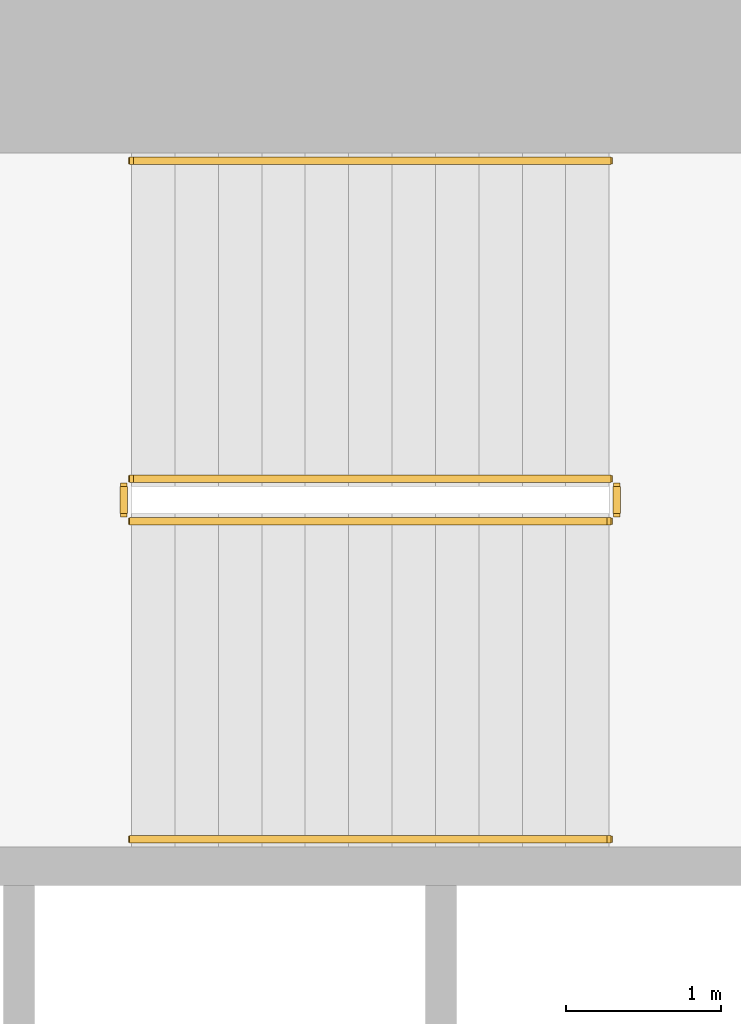
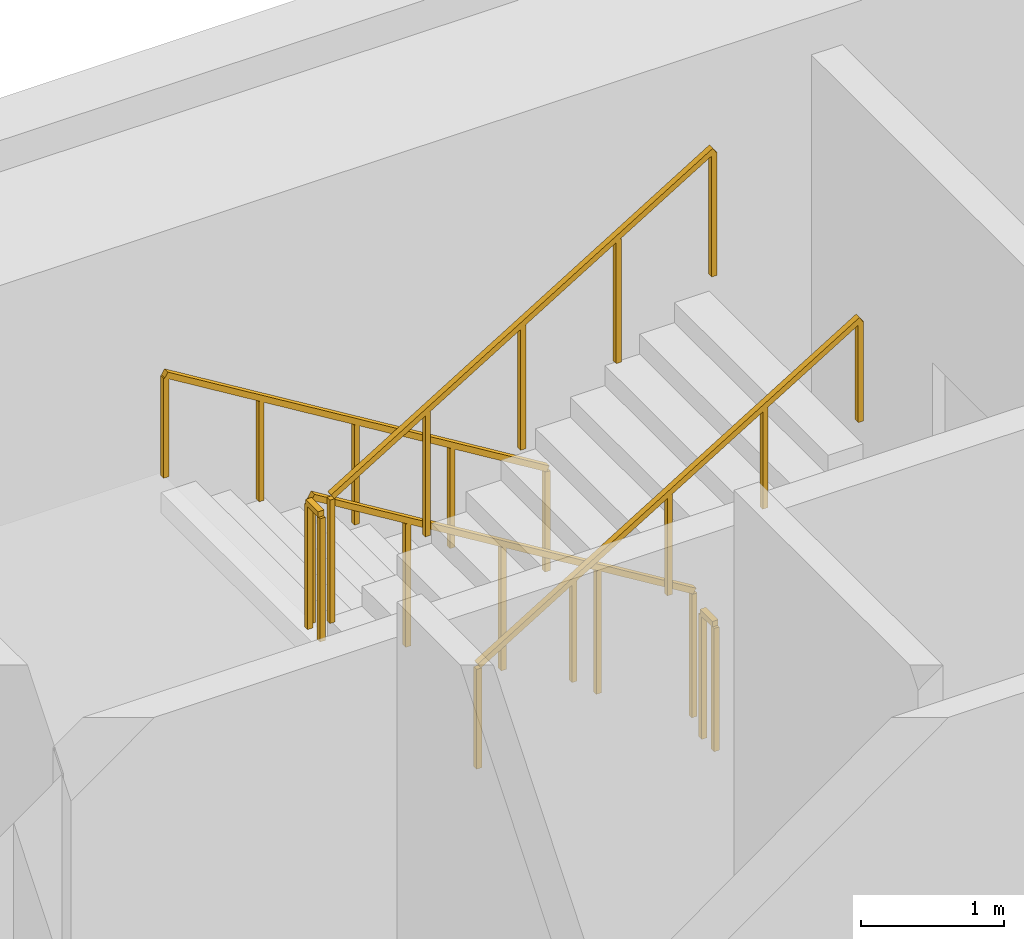
# One storey, part 13 of 15: 6 railings.
"""IFC4 building model written with IfcOpenShell, lengths in metres."""

from ifc_helpers import new_model, si_unit, direction, frame, origin, origin_2d, place, context, subcontext, project, spatial, rectangle, extrude, material, type_object, element, save


model = new_model("IFC4")

# Units and contexts
model_context = context("Model", 3, precision=1e-05, world=origin(), true_north=direction((0.0, 1.0)))
body_context = subcontext(model_context, "Body", "Model", "MODEL_VIEW")
ifc_project = project(units=[si_unit("LENGTHUNIT", "METRE"), si_unit("AREAUNIT", "SQUARE_METRE"), si_unit("VOLUMEUNIT", "CUBIC_METRE"), si_unit("PLANEANGLEUNIT", "RADIAN"), si_unit("MASSUNIT", "GRAM", prefix="KILO")], contexts=[model_context])

# Site, building, storey
site_placement = place(None, origin())
site = spatial("IfcSite", under=ifc_project, at=site_placement, CompositionType="ELEMENT")
building_placement = place(site_placement, origin())
building = spatial("IfcBuilding", under=site, at=building_placement, Name="Cypress Arch Tower", CompositionType="ELEMENT")
storey_placement = place(building_placement, frame((0.0, 0.0, 213.800048828125)))
storey = spatial("IfcBuildingStorey", under=building, at=storey_placement, Name="L47", CompositionType="ELEMENT", Elevation=213.800048828125)

# Railings
ifc_material_1 = material(Name="Black powder-coated steel square bar 48 mm", Category="steel")
railing_type_1 = type_object("IfcRailingType", Name="Stair handrail HR1", PredefinedType="HANDRAIL", material=ifc_material_1)
railing_1_placement = place(storey_placement, frame((-22.27490234375, 14.75, 0.1708984375)))
element("IfcRailing", 1, at=railing_1_placement, inside=storey, type_object=railing_type_1, Name="L47 B stair handrail 1", PredefinedType="HANDRAIL", context=body_context, shape_type="SweptSolid", body=[
    extrude(rectangle(XDim=0.048095703125, YDim=0.048095703125, at=origin_2d()), frame((0.0, 0.0, 0.8759765625), z_axis=(-0.853666305674, 0.0, 0.52082035152), x_axis=(0.0, -1.0, 0.0)), (0.0, 0.0, 1.0), 3.608154296875),
    extrude(rectangle(XDim=0.0419921875, YDim=0.0419921875, at=origin_2d()), origin(), (0.0, 0.0, 1.0), 0.851806640625),
    extrude(rectangle(XDim=0.0419921875, YDim=0.0419921875, at=origin_2d()), frame((-0.77001953125, 0.0, 0.4697265625)), (0.0, 0.0, 1.0), 0.851806640625),
    extrude(rectangle(XDim=0.0419921875, YDim=0.0419921875, at=origin_2d()), frame((-1.5400390625, 0.0, 0.939453125)), (0.0, 0.0, 1.0), 0.851806640625),
    extrude(rectangle(XDim=0.0419921875, YDim=0.0419921875, at=origin_2d()), frame((-2.31005859375, 0.0, 1.409423828125)), (0.0, 0.0, 1.0), 0.851806640625),
    extrude(rectangle(XDim=0.0419921875, YDim=0.0419921875, at=origin_2d()), frame((-3.080078125, 0.0, 1.879150390625)), (0.0, 0.0, 1.0), 0.851806640625),
])
railing_2_placement = place(storey_placement, frame((-25.35498046875, 10.375, 2.220703125)))
element("IfcRailing", 2, at=railing_2_placement, inside=storey, type_object=railing_type_1, Name="L47 B stair handrail 2", PredefinedType="HANDRAIL", context=body_context, shape_type="SweptSolid", body=[
    extrude(rectangle(XDim=0.048095703125, YDim=0.048095703125, at=origin_2d()), frame((0.0, 0.0, 0.8759765625), z_axis=(0.853666305674, 0.0, 0.52082035152), x_axis=(0.0, 1.0, 0.0)), (0.0, 0.0, 1.0), 3.608154296875),
    extrude(rectangle(XDim=0.0419921875, YDim=0.0419921875, at=origin_2d()), origin(), (0.0, 0.0, 1.0), 0.851806640625),
    extrude(rectangle(XDim=0.0419921875, YDim=0.0419921875, at=origin_2d()), frame((0.77001953125, 0.0, 0.4697265625)), (0.0, 0.0, 1.0), 0.851806640625),
    extrude(rectangle(XDim=0.0419921875, YDim=0.0419921875, at=origin_2d()), frame((1.5400390625, 0.0, 0.939453125)), (0.0, 0.0, 1.0), 0.851806640625),
    extrude(rectangle(XDim=0.0419921875, YDim=0.0419921875, at=origin_2d()), frame((2.31005859375, 0.0, 1.409423828125)), (0.0, 0.0, 1.0), 0.851806640625),
    extrude(rectangle(XDim=0.0419921875, YDim=0.0419921875, at=origin_2d()), frame((3.080078125, 0.0, 1.879150390625)), (0.0, 0.0, 1.0), 0.851806640625),
])
ifc_material_2 = material(Name="Black powder-coated steel balusters", Category="steel")
railing_type_2 = type_object("IfcRailingType", Name="Stair well guard G1", PredefinedType="GUARDRAIL", material=ifc_material_2)
railing_3_placement = place(storey_placement, frame((-22.27490234375, 12.699951171875, 0.1708984375)))
element("IfcRailing", 3, at=railing_3_placement, inside=storey, type_object=railing_type_2, Name="L47 B stair guard 1", PredefinedType="GUARDRAIL", context=body_context, shape_type="SweptSolid", body=[
    extrude(rectangle(XDim=0.048095703125, YDim=0.048095703125, at=origin_2d()), frame((0.0, 0.0, 1.076171875), z_axis=(-0.853666305674, 0.0, 0.52082035152), x_axis=(0.0, -1.0, 0.0)), (0.0, 0.0, 1.0), 3.608154296875),
    extrude(rectangle(XDim=0.0419921875, YDim=0.0419921875, at=origin_2d()), origin(), (0.0, 0.0, 1.0), 1.052001953125),
    extrude(rectangle(XDim=0.0419921875, YDim=0.0419921875, at=origin_2d()), frame((-0.77001953125, 0.0, 0.4697265625)), (0.0, 0.0, 1.0), 1.052001953125),
    extrude(rectangle(XDim=0.0419921875, YDim=0.0419921875, at=origin_2d()), frame((-1.5400390625, 0.0, 0.939453125)), (0.0, 0.0, 1.0), 1.052001953125),
    extrude(rectangle(XDim=0.0419921875, YDim=0.0419921875, at=origin_2d()), frame((-2.31005859375, 0.0, 1.409423828125)), (0.0, 0.0, 1.0), 1.052001953125),
    extrude(rectangle(XDim=0.0419921875, YDim=0.0419921875, at=origin_2d()), frame((-3.080078125, 0.0, 1.879150390625)), (0.0, 0.0, 1.0), 1.052001953125),
])
railing_4_placement = place(storey_placement, frame((-25.405029296875, 12.64990234375, 2.050048828125)))
element("IfcRailing", 4, at=railing_4_placement, inside=storey, type_object=railing_type_2, Name="L47 B stair guard 2", PredefinedType="GUARDRAIL", context=body_context, shape_type="SweptSolid", body=[
    extrude(rectangle(XDim=0.048095703125, YDim=0.048095703125, at=origin_2d()), frame((0.0, 0.0, 1.076171875), z_axis=(0.0, -1.0, 0.0), x_axis=(1.0, 0.0, 0.0)), (0.0, 0.0, 1.0), 0.1748046875),
    extrude(rectangle(XDim=0.0419921875, YDim=0.0419921875, at=origin_2d()), origin(), (0.0, 0.0, 1.0), 1.052001953125),
    extrude(rectangle(XDim=0.0419921875, YDim=0.0419921875, at=origin_2d()), frame((0.0, -0.1748046875, 0.0)), (0.0, 0.0, 1.0), 1.052001953125),
])
railing_5_placement = place(storey_placement, frame((-25.35498046875, 12.425048828125, 2.220703125)))
element("IfcRailing", 5, at=railing_5_placement, inside=storey, type_object=railing_type_2, Name="L47 B stair guard 3", PredefinedType="GUARDRAIL", context=body_context, shape_type="SweptSolid", body=[
    extrude(rectangle(XDim=0.048095703125, YDim=0.048095703125, at=origin_2d()), frame((0.0, 0.0, 1.076171875), z_axis=(0.853666305674, 0.0, 0.52082035152), x_axis=(0.0, 1.0, 0.0)), (0.0, 0.0, 1.0), 3.608154296875),
    extrude(rectangle(XDim=0.0419921875, YDim=0.0419921875, at=origin_2d()), origin(), (0.0, 0.0, 1.0), 1.052001953125),
    extrude(rectangle(XDim=0.0419921875, YDim=0.0419921875, at=origin_2d()), frame((0.77001953125, 0.0, 0.4697265625)), (0.0, 0.0, 1.0), 1.052001953125),
    extrude(rectangle(XDim=0.0419921875, YDim=0.0419921875, at=origin_2d()), frame((1.5400390625, 0.0, 0.939453125)), (0.0, 0.0, 1.0), 1.052001953125),
    extrude(rectangle(XDim=0.0419921875, YDim=0.0419921875, at=origin_2d()), frame((2.31005859375, 0.0, 1.409423828125)), (0.0, 0.0, 1.0), 1.052001953125),
    extrude(rectangle(XDim=0.0419921875, YDim=0.0419921875, at=origin_2d()), frame((3.080078125, 0.0, 1.879150390625)), (0.0, 0.0, 1.0), 1.052001953125),
])
railing_6_placement = place(storey_placement, frame((-22.22509765625, 12.64990234375, 0.0)))
element("IfcRailing", 6, at=railing_6_placement, inside=storey, type_object=railing_type_2, Name="L47 B stair guard 4", PredefinedType="GUARDRAIL", context=body_context, shape_type="SweptSolid", body=[
    extrude(rectangle(XDim=0.048095703125, YDim=0.048095703125, at=origin_2d()), frame((0.0, 0.0, 1.076171875), z_axis=(0.0, -1.0, 0.0), x_axis=(1.0, 0.0, 0.0)), (0.0, 0.0, 1.0), 0.1748046875),
    extrude(rectangle(XDim=0.0419921875, YDim=0.0419921875, at=origin_2d()), origin(), (0.0, 0.0, 1.0), 1.052001953125),
    extrude(rectangle(XDim=0.0419921875, YDim=0.0419921875, at=origin_2d()), frame((0.0, -0.1748046875, 0.0)), (0.0, 0.0, 1.0), 1.052001953125),
])

save(model, "model.ifc")
